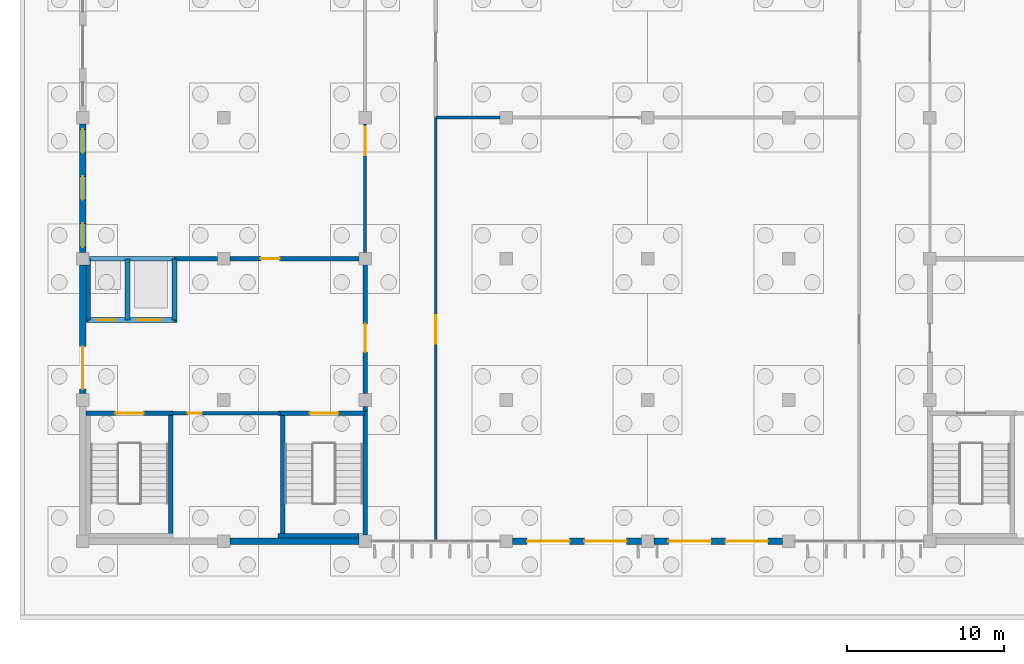
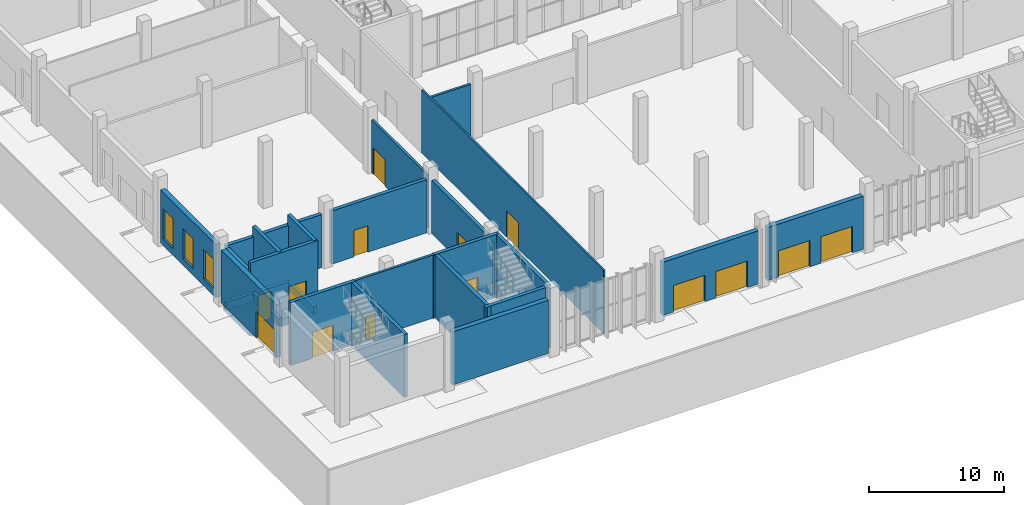
# One storey, part 77 of 198: 28 walls, 14 doors, 3 windows, 17 openings.
"""IFC4 building model written with IfcOpenShell, lengths in metres."""

from ifc_helpers import new_model, si_unit, direction, frame, frame_2d, origin, place, context, subcontext, project, spatial, rectangle, extrude, material, layer, layer_set, type_object, element, fill, save


model = new_model("IFC4")

# Units and contexts
model_context = context("Model", 3, precision=1e-05, world=origin(), true_north=direction((0.0, 1.0)))
body_context = subcontext(model_context, "Body", "Model", "MODEL_VIEW")
ifc_project = project(units=[si_unit("LENGTHUNIT", "METRE"), si_unit("AREAUNIT", "SQUARE_METRE"), si_unit("VOLUMEUNIT", "CUBIC_METRE"), si_unit("PLANEANGLEUNIT", "RADIAN"), si_unit("MASSUNIT", "GRAM", prefix="KILO")], contexts=[model_context])

# Site, building, storey
site_placement = place(None, origin())
site = spatial("IfcSite", under=ifc_project, at=site_placement, CompositionType="ELEMENT")
building_placement = place(site_placement, origin())
building = spatial("IfcBuilding", under=site, at=building_placement, Name="Opaline Strait Convention Centre", CompositionType="ELEMENT")
storey_placement = place(building_placement, origin())
storey = spatial("IfcBuildingStorey", under=building, at=storey_placement, Name="L00", CompositionType="ELEMENT", Elevation=0.0)

# Wall, opening, door
ifc_material_1 = material(Name="Gypsum board on metal studs with mineral wool")
ifc_layer_1 = layer(ifc_material_1, 0.199951171875)
ifc_layer_set_1 = layer_set([ifc_layer_1], Name="Gypsum board on metal studs with mineral wool")
wall_type_1 = type_object("IfcWallType", Name="Fire partition 200", PredefinedType="PARTITIONING", material=ifc_layer_set_1)
wall_1_placement = place(storey_placement, frame((14.75, 17.14990234375, 0.0), z_axis=(0.0, 0.0, 1.0), x_axis=(1.0, 0.0, 0.0)))
wall_1 = element("IfcWall", 1, at=wall_1_placement, inside=storey, type_object=wall_type_1, Name="SW core STORE-N wall", PredefinedType="PARTITIONING", context=body_context, shape_type="SweptSolid", body=[
    extrude(rectangle(XDim=6.85009765625, YDim=0.199951171875, at=frame_2d((3.425048828125, 0.0))), origin(), (0.0, 0.0, 1.0), 5.719970703125),
])
opening_1_placement = place(wall_1_placement, frame((0.949951171875, 0.0, 0.0)))
opening_1 = element("IfcOpeningElement", 2, at=opening_1_placement, cuts=wall_1, Name="Opening R0-003", PredefinedType="OPENING", context=body_context, shape_type="SweptSolid", body=[
    extrude(rectangle(XDim=0.89990234375, YDim=2.10009765625, at=frame_2d((0.449951171875, 1.050048828125))), frame((0.0, 0.10986328125, 0.0), z_axis=(0.0, -1.0, 0.0), x_axis=(1.0, 0.0, 0.0)), (0.0, 0.0, 1.0), 0.219970703125),
])
ifc_material_2 = material(Name="Galvanised steel door leaf", Category="steel")
door_type_1 = type_object("IfcDoorType", Name="Services store door 900x2100 FD60", OperationType="SINGLE_SWING_LEFT", PredefinedType="DOOR", material=ifc_material_2)
door_1_placement = place(opening_1_placement, origin())
door_1 = element("IfcDoor", 3, at=door_1_placement, inside=storey, type_object=door_type_1, Name="Services store door SW R0-003", ObjectType="RD8", OperationType="SINGLE_SWING_LEFT", OverallHeight=2.10009765625, OverallWidth=0.89990234375, PredefinedType="DOOR", context=body_context, shape_type="SweptSolid", body=[
    extrude(rectangle(XDim=0.89990234375, YDim=2.10009765625, at=frame_2d((0.449951171875, 1.050048828125))), frame((0.0, 0.02490234375, 0.0), z_axis=(0.0, -1.0, 0.0), x_axis=(1.0, 0.0, 0.0)), (0.0, 0.0, 1.0), 0.050048828125),
])
fill(opening_1, door_1)

# Wall
wall_2_placement = place(storey_placement, frame((31.5, 36.0, 0.0), z_axis=(0.0, 0.0, 1.0), x_axis=(1.0, 0.0, 0.0)))
element("IfcWall", 4, at=wall_2_placement, inside=storey, type_object=wall_type_1, Name="L00 partition", PredefinedType="PARTITIONING", context=body_context, shape_type="SweptSolid", body=[
    extrude(rectangle(XDim=4.10009765625, YDim=0.199951171875, at=frame_2d((2.050048828125, 0.0))), origin(), (0.0, 0.0, 1.0), 4.820068359375),
])

# Wall, opening, door
wall_3_placement = place(storey_placement, frame((27.0, 27.39990234375, 0.0), z_axis=(0.0, 0.0, 1.0), x_axis=(0.0, 1.0, 0.0)))
wall_3 = element("IfcWall", 5, at=wall_3_placement, inside=storey, type_object=wall_type_1, Name="L00 partition", PredefinedType="PARTITIONING", context=body_context, shape_type="SweptSolid", body=[
    extrude(rectangle(XDim=8.2001953125, YDim=0.199951171875, at=frame_2d((4.10009765625, 0.0))), origin(), (0.0, 0.0, 1.0), 4.820068359375),
])
opening_2_placement = place(wall_3_placement, frame((6.199951171875, 0.0, 0.0)))
opening_2 = element("IfcOpeningElement", 6, at=opening_2_placement, cuts=wall_3, Name="Opening R0-040", PredefinedType="OPENING", context=body_context, shape_type="SweptSolid", body=[
    extrude(rectangle(XDim=1.800048828125, YDim=2.39990234375, at=frame_2d((0.89990234375, 1.199951171875))), frame((0.0, 0.10986328125, 0.0), z_axis=(0.0, -1.0, 0.0), x_axis=(1.0, 0.0, 0.0)), (0.0, 0.0, 1.0), 0.219970703125),
])
ifc_material_3 = material(Name="Stainless steel 304 door leaves", Category="steel")
door_type_2 = type_object("IfcDoorType", Name="Kitchen door 1800x2400 double FD90", OperationType="DOUBLE_DOOR_SINGLE_SWING", PredefinedType="DOOR", material=ifc_material_3)
door_2_placement = place(opening_2_placement, frame((1.800048828125, 0.0, 0.0), z_axis=(0.0, 0.0, 1.0), x_axis=(-1.0, 0.0, 0.0)))
door_2 = element("IfcDoor", 7, at=door_2_placement, inside=storey, type_object=door_type_2, Name="Main Kitchen door R0-040", ObjectType="RD4", OperationType="DOUBLE_DOOR_SINGLE_SWING", OverallHeight=2.39990234375, OverallWidth=1.800048828125, PredefinedType="DOOR", context=body_context, shape_type="SweptSolid", body=[
    extrude(rectangle(XDim=1.800048828125, YDim=2.39990234375, at=frame_2d((0.89990234375, 1.199951171875))), frame((0.0, 0.02490234375, 0.0), z_axis=(0.0, -1.0, 0.0), x_axis=(1.0, 0.0, 0.0)), (0.0, 0.0, 1.0), 0.050048828125),
])
fill(opening_2, door_2)

ifc_layer_2 = layer(ifc_material_1, 0.14990234375)
ifc_layer_set_2 = layer_set([ifc_layer_2], Name="Gypsum board on metal studs with mineral wool")
wall_type_2 = type_object("IfcWallType", Name="Partition 150", PredefinedType="PARTITIONING", material=ifc_layer_set_2)
wall_4_placement = place(storey_placement, frame((31.5, 9.0, 0.0), z_axis=(0.0, 0.0, 1.0), x_axis=(0.0, 1.0, 0.0)))
wall_4 = element("IfcWall", 8, at=wall_4_placement, inside=storey, type_object=wall_type_2, Name="L00 partition", PredefinedType="PARTITIONING", context=body_context, shape_type="SweptSolid", body=[
    extrude(rectangle(XDim=27.0, YDim=0.14990234375, at=frame_2d((13.5, 0.0))), origin(), (0.0, 0.0, 1.0), 5.719970703125),
])
opening_3_placement = place(wall_4_placement, frame((12.60009765625, 0.0, 0.0)))
opening_3 = element("IfcOpeningElement", 9, at=opening_3_placement, cuts=wall_4, Name="Opening R0-031", PredefinedType="OPENING", context=body_context, shape_type="SweptSolid", body=[
    extrude(rectangle(XDim=1.800048828125, YDim=2.39990234375, at=frame_2d((0.89990234375, 1.199951171875))), frame((0.0, 0.0849609375, 0.0), z_axis=(0.0, -1.0, 0.0), x_axis=(1.0, 0.0, 0.0)), (0.0, 0.0, 1.0), 0.169921875),
])
ifc_material_4 = material(Name="Timber door leaves in steel frame", Category="steel")
door_type_3 = type_object("IfcDoorType", Name="Door 1800x2400 double FD30", OperationType="DOUBLE_DOOR_SINGLE_SWING", PredefinedType="DOOR", material=ifc_material_4)
door_3_placement = place(opening_3_placement, origin())
door_3 = element("IfcDoor", 10, at=door_3_placement, inside=storey, type_object=door_type_3, Name="Restaurant Hall door R0-031", ObjectType="RD2", OperationType="DOUBLE_DOOR_SINGLE_SWING", OverallHeight=2.39990234375, OverallWidth=1.800048828125, PredefinedType="DOOR", context=body_context, shape_type="SweptSolid", body=[
    extrude(rectangle(XDim=1.800048828125, YDim=2.39990234375, at=frame_2d((0.89990234375, 1.199951171875))), frame((0.0, 0.02490234375, 0.0), z_axis=(0.0, -1.0, 0.0), x_axis=(1.0, 0.0, 0.0)), (0.0, 0.0, 1.0), 0.050048828125),
])
fill(opening_3, door_3)

ifc_material_5 = material(Name="Concrete C40", Category="concrete")
ifc_layer_3 = layer(ifc_material_5, 0.300048828125)
ifc_layer_set_3 = layer_set([ifc_layer_3], Name="Concrete C40")
wall_type_3 = type_object("IfcWallType", Name="RC wall 300 C40", PredefinedType="SOLIDWALL", material=ifc_layer_set_3)
wall_5_placement = place(storey_placement, frame((9.199951171875, 17.14990234375, 0.0), z_axis=(0.0, 0.0, 1.0), x_axis=(1.0, 0.0, 0.0)))
wall_5 = element("IfcWall", 11, at=wall_5_placement, inside=storey, type_object=wall_type_3, Name="SW core STA-N wall", PredefinedType="SOLIDWALL", context=body_context, shape_type="SweptSolid", body=[
    extrude(rectangle(XDim=5.550048828125, YDim=0.300048828125, at=frame_2d((2.77490234375, 0.0))), origin(), (0.0, 0.0, 1.0), 5.719970703125),
])
opening_4_placement = place(wall_5_placement, frame((1.875, 0.0, 0.0)))
opening_4 = element("IfcOpeningElement", 12, at=opening_4_placement, cuts=wall_5, Name="Opening R0-001", PredefinedType="OPENING", context=body_context, shape_type="SweptSolid", body=[
    extrude(rectangle(XDim=1.800048828125, YDim=2.39990234375, at=frame_2d((0.89990234375, 1.199951171875))), frame((0.0, 0.159912109375, 0.0), z_axis=(0.0, -1.0, 0.0), x_axis=(1.0, 0.0, 0.0)), (0.0, 0.0, 1.0), 0.320068359375),
])
door_type_4 = type_object("IfcDoorType", Name="Stair door 1800x2400 double FD60", OperationType="DOUBLE_DOOR_SINGLE_SWING", PredefinedType="DOOR", material=ifc_material_4)
door_4_placement = place(opening_4_placement, origin())
door_4 = element("IfcDoor", 13, at=door_4_placement, inside=storey, type_object=door_type_4, Name="Stair door SWA R0-001", ObjectType="RD7", OperationType="DOUBLE_DOOR_SINGLE_SWING", OverallHeight=2.39990234375, OverallWidth=1.800048828125, PredefinedType="DOOR", context=body_context, shape_type="SweptSolid", body=[
    extrude(rectangle(XDim=1.800048828125, YDim=2.39990234375, at=frame_2d((0.89990234375, 1.199951171875))), frame((0.0, 0.02490234375, 0.0), z_axis=(0.0, -1.0, 0.0), x_axis=(1.0, 0.0, 0.0)), (0.0, 0.0, 1.0), 0.050048828125),
])
fill(opening_4, door_4)

# Walls
wall_6_placement = place(storey_placement, frame((14.60009765625, 9.199951171875, 0.0), z_axis=(0.0, 0.0, 1.0), x_axis=(0.0, 1.0, 0.0)))
element("IfcWall", 14, at=wall_6_placement, inside=storey, type_object=wall_type_3, Name="SW core STA-E wall", PredefinedType="SOLIDWALL", context=body_context, shape_type="SweptSolid", body=[
    extrude(rectangle(XDim=8.10009765625, YDim=0.300048828125, at=frame_2d((4.050048828125, 0.0))), origin(), (0.0, 0.0, 1.0), 5.719970703125),
])
wall_7_placement = place(storey_placement, frame((21.449951171875, 9.35009765625, 0.0), z_axis=(0.0, 0.0, 1.0), x_axis=(1.0, 0.0, 0.0)))
element("IfcWall", 15, at=wall_7_placement, inside=storey, type_object=wall_type_3, Name="SW core STB-S wall", PredefinedType="SOLIDWALL", context=body_context, shape_type="SweptSolid", body=[
    extrude(rectangle(XDim=5.150146484375, YDim=0.300048828125, at=frame_2d((2.5751953125, 0.0))), origin(), (0.0, 0.0, 1.0), 5.719970703125),
])

# Wall, opening, door
wall_8_placement = place(storey_placement, frame((21.449951171875, 17.14990234375, 0.0), z_axis=(0.0, 0.0, 1.0), x_axis=(1.0, 0.0, 0.0)))
wall_8 = element("IfcWall", 16, at=wall_8_placement, inside=storey, type_object=wall_type_3, Name="SW core STB-N wall", PredefinedType="SOLIDWALL", context=body_context, shape_type="SweptSolid", body=[
    extrude(rectangle(XDim=5.550048828125, YDim=0.300048828125, at=frame_2d((2.77490234375, 0.0))), origin(), (0.0, 0.0, 1.0), 5.719970703125),
])
opening_5_placement = place(wall_8_placement, frame((2.02490234375, 0.0, 0.0)))
opening_5 = element("IfcOpeningElement", 17, at=opening_5_placement, cuts=wall_8, Name="Opening R0-002", PredefinedType="OPENING", context=body_context, shape_type="SweptSolid", body=[
    extrude(rectangle(XDim=1.800048828125, YDim=2.39990234375, at=frame_2d((0.89990234375, 1.199951171875))), frame((0.0, 0.159912109375, 0.0), z_axis=(0.0, -1.0, 0.0), x_axis=(1.0, 0.0, 0.0)), (0.0, 0.0, 1.0), 0.320068359375),
])
door_5_placement = place(opening_5_placement, origin())
door_5 = element("IfcDoor", 18, at=door_5_placement, inside=storey, type_object=door_type_4, Name="Stair door SWB R0-002", ObjectType="RD7", OperationType="DOUBLE_DOOR_SINGLE_SWING", OverallHeight=2.39990234375, OverallWidth=1.800048828125, PredefinedType="DOOR", context=body_context, shape_type="SweptSolid", body=[
    extrude(rectangle(XDim=1.800048828125, YDim=2.39990234375, at=frame_2d((0.89990234375, 1.199951171875))), frame((0.0, 0.02490234375, 0.0), z_axis=(0.0, -1.0, 0.0), x_axis=(1.0, 0.0, 0.0)), (0.0, 0.0, 1.0), 0.050048828125),
])
fill(opening_5, door_5)

# Walls
wall_9_placement = place(storey_placement, frame((21.75, 9.199951171875, 0.0), z_axis=(0.0, 0.0, 1.0), x_axis=(0.0, 1.0, 0.0)))
element("IfcWall", 19, at=wall_9_placement, inside=storey, type_object=wall_type_3, Name="SW core STB-W wall", PredefinedType="SOLIDWALL", context=body_context, shape_type="SweptSolid", body=[
    extrude(rectangle(XDim=8.10009765625, YDim=0.300048828125, at=frame_2d((4.050048828125, 0.0))), origin(), (0.0, 0.0, 1.0), 5.719970703125),
])
wall_10_placement = place(storey_placement, frame((27.0, 9.39990234375, 0.0), z_axis=(0.0, 0.0, 1.0), x_axis=(0.0, 1.0, 0.0)))
element("IfcWall", 20, at=wall_10_placement, inside=storey, type_object=wall_type_3, Name="SW core STB-E wall", PredefinedType="SOLIDWALL", context=body_context, shape_type="SweptSolid", body=[
    extrude(rectangle(XDim=7.900146484375, YDim=0.300048828125, at=frame_2d((3.9501953125, 0.0))), origin(), (0.0, 0.0, 1.0), 5.719970703125),
])
wall_11_placement = place(storey_placement, frame((9.39990234375, 27.0, 0.0), z_axis=(0.0, 0.0, 1.0), x_axis=(1.0, 0.0, 0.0)))
element("IfcWall", 21, at=wall_11_placement, inside=storey, type_object=wall_type_3, Name="SW core BND-N wall", PredefinedType="SOLIDWALL", context=body_context, shape_type="SweptSolid", body=[
    extrude(rectangle(XDim=8.2001953125, YDim=0.300048828125, at=frame_2d((4.10009765625, 0.0))), origin(), (0.0, 0.0, 1.0), 4.820068359375),
])

# Wall, opening, door
wall_12_placement = place(storey_placement, frame((18.39990234375, 27.0, 0.0), z_axis=(0.0, 0.0, 1.0), x_axis=(1.0, 0.0, 0.0)))
wall_12 = element("IfcWall", 22, at=wall_12_placement, inside=storey, type_object=wall_type_3, Name="SW core BND-N wall", PredefinedType="SOLIDWALL", context=body_context, shape_type="SweptSolid", body=[
    extrude(rectangle(XDim=8.2001953125, YDim=0.300048828125, at=frame_2d((4.10009765625, 0.0))), origin(), (0.0, 0.0, 1.0), 4.820068359375),
])
opening_6_placement = place(wall_12_placement, frame((1.949951171875, 0.0, 0.0)))
opening_6 = element("IfcOpeningElement", 23, at=opening_6_placement, cuts=wall_12, Name="Opening R0-041", PredefinedType="OPENING", context=body_context, shape_type="SweptSolid", body=[
    extrude(rectangle(XDim=1.199951171875, YDim=2.39990234375, at=frame_2d((0.60009765625, 1.199951171875))), frame((0.0, 0.159912109375, 0.0), z_axis=(0.0, -1.0, 0.0), x_axis=(1.0, 0.0, 0.0)), (0.0, 0.0, 1.0), 0.320068359375),
])
ifc_material_6 = material(Name="Stainless steel 304 door leaf", Category="steel")
door_type_5 = type_object("IfcDoorType", Name="Kitchen door 1200x2400 FD90", OperationType="SINGLE_SWING_LEFT", PredefinedType="DOOR", material=ifc_material_6)
door_6_placement = place(opening_6_placement, origin())
door_6 = element("IfcDoor", 24, at=door_6_placement, inside=storey, type_object=door_type_5, Name="Main Kitchen service door R0-041", ObjectType="RD3", OperationType="SINGLE_SWING_LEFT", OverallHeight=2.39990234375, OverallWidth=1.199951171875, PredefinedType="DOOR", context=body_context, shape_type="SweptSolid", body=[
    extrude(rectangle(XDim=1.199951171875, YDim=2.39990234375, at=frame_2d((0.60009765625, 1.199951171875))), frame((0.0, 0.02490234375, 0.0), z_axis=(0.0, -1.0, 0.0), x_axis=(1.0, 0.0, 0.0)), (0.0, 0.0, 1.0), 0.050048828125),
])
fill(opening_6, door_6)

# Wall
wall_13_placement = place(storey_placement, frame((27.0, 17.300048828125, 0.0), z_axis=(0.0, 0.0, 1.0), x_axis=(0.0, 1.0, 0.0)))
element("IfcWall", 25, at=wall_13_placement, inside=storey, type_object=wall_type_3, Name="SW core BND-E wall", PredefinedType="SOLIDWALL", context=body_context, shape_type="SweptSolid", body=[
    extrude(rectangle(XDim=0.300048828125, YDim=0.300048828125, at=frame_2d((0.14990234375, 0.0))), origin(), (0.0, 0.0, 1.0), 4.820068359375),
])

# Wall, opening, door
wall_14_placement = place(storey_placement, frame((27.0, 18.39990234375, 0.0), z_axis=(0.0, 0.0, 1.0), x_axis=(0.0, 1.0, 0.0)))
wall_14 = element("IfcWall", 26, at=wall_14_placement, inside=storey, type_object=wall_type_3, Name="SW core BND-E wall", PredefinedType="SOLIDWALL", context=body_context, shape_type="SweptSolid", body=[
    extrude(rectangle(XDim=8.2001953125, YDim=0.300048828125, at=frame_2d((4.10009765625, 0.0))), origin(), (0.0, 0.0, 1.0), 4.820068359375),
])
opening_7_placement = place(wall_14_placement, frame((2.64990234375, 0.0, 0.0)))
opening_7 = element("IfcOpeningElement", 27, at=opening_7_placement, cuts=wall_14, Name="Opening R0-004", PredefinedType="OPENING", context=body_context, shape_type="SweptSolid", body=[
    extrude(rectangle(XDim=1.800048828125, YDim=2.39990234375, at=frame_2d((0.89990234375, 1.199951171875))), frame((0.0, 0.159912109375, 0.0), z_axis=(0.0, -1.0, 0.0), x_axis=(1.0, 0.0, 0.0)), (0.0, 0.0, 1.0), 0.320068359375),
])
door_type_6 = type_object("IfcDoorType", Name="Door 1800x2400 double FD60", OperationType="DOUBLE_DOOR_SINGLE_SWING", PredefinedType="DOOR", material=ifc_material_4)
door_7_placement = place(opening_7_placement, frame((1.800048828125, 0.0, 0.0), z_axis=(0.0, 0.0, 1.0), x_axis=(-1.0, 0.0, 0.0)))
door_7 = element("IfcDoor", 28, at=door_7_placement, inside=storey, type_object=door_type_6, Name="Core lobby door SW R0-004", ObjectType="RD9", OperationType="DOUBLE_DOOR_SINGLE_SWING", OverallHeight=2.39990234375, OverallWidth=1.800048828125, PredefinedType="DOOR", context=body_context, shape_type="SweptSolid", body=[
    extrude(rectangle(XDim=1.800048828125, YDim=2.39990234375, at=frame_2d((0.89990234375, 1.199951171875))), frame((0.0, 0.02490234375, 0.0), z_axis=(0.0, -1.0, 0.0), x_axis=(1.0, 0.0, 0.0)), (0.0, 0.0, 1.0), 0.050048828125),
])
fill(opening_7, door_7)

# Wall, openings, doors
wall_15_placement = place(storey_placement, frame((9.199951171875, 23.10009765625, 0.0), z_axis=(0.0, 0.0, 1.0), x_axis=(1.0, 0.0, 0.0)))
wall_15 = element("IfcWall", 29, at=wall_15_placement, inside=storey, type_object=wall_type_3, Name="SW core LIFT-S wall", PredefinedType="SOLIDWALL", context=body_context, shape_type="SweptSolid", body=[
    extrude(rectangle(XDim=5.800048828125, YDim=0.300048828125, at=frame_2d((2.89990234375, 0.0))), origin(), (0.0, 0.0, 1.0), 5.719970703125),
])
opening_8_placement = place(wall_15_placement, frame((0.75, 0.0, 0.0)))
opening_8 = element("IfcOpeningElement", 30, at=opening_8_placement, cuts=wall_15, Name="Opening R0-005", PredefinedType="OPENING", context=body_context, shape_type="SweptSolid", body=[
    extrude(rectangle(XDim=1.10009765625, YDim=2.39990234375, at=frame_2d((0.550048828125, 1.199951171875))), frame((0.0, 0.159912109375, 0.0), z_axis=(0.0, -1.0, 0.0), x_axis=(1.0, 0.0, 0.0)), (0.0, 0.0, 1.0), 0.320068359375),
])
opening_9_placement = place(wall_15_placement, frame((3.300048828125, 0.0, 0.0)))
opening_9 = element("IfcOpeningElement", 31, at=opening_9_placement, cuts=wall_15, Name="Opening R0-006", PredefinedType="OPENING", context=body_context, shape_type="SweptSolid", body=[
    extrude(rectangle(XDim=1.5, YDim=2.39990234375, at=frame_2d((0.75, 1.199951171875))), frame((0.0, 0.159912109375, 0.0), z_axis=(0.0, -1.0, 0.0), x_axis=(1.0, 0.0, 0.0)), (0.0, 0.0, 1.0), 0.320068359375),
])
door_type_7 = type_object("IfcDoorType", Name="Lift landing door 1100x2400 sliding FD60", OperationType="SLIDING_TO_LEFT", PredefinedType="DOOR", material=ifc_material_3)
door_8_placement = place(opening_8_placement, frame((1.10009765625, 0.0, 0.0), z_axis=(0.0, 0.0, 1.0), x_axis=(-1.0, 0.0, 0.0)))
door_8 = element("IfcDoor", 32, at=door_8_placement, inside=storey, type_object=door_type_7, Name="Lift landing door SWP R0-005", ObjectType="LD1", OperationType="SLIDING_TO_LEFT", OverallHeight=2.39990234375, OverallWidth=1.10009765625, PredefinedType="DOOR", context=body_context, shape_type="SweptSolid", body=[
    extrude(rectangle(XDim=1.10009765625, YDim=2.39990234375, at=frame_2d((0.550048828125, 1.199951171875))), frame((0.0, 0.02490234375, 0.0), z_axis=(0.0, -1.0, 0.0), x_axis=(1.0, 0.0, 0.0)), (0.0, 0.0, 1.0), 0.050048828125),
])
fill(opening_8, door_8)
door_type_8 = type_object("IfcDoorType", Name="Lift landing door 1500x2400 sliding FD60", OperationType="SLIDING_TO_LEFT", PredefinedType="DOOR", material=ifc_material_3)
door_9_placement = place(opening_9_placement, frame((1.5, 0.0, 0.0), z_axis=(0.0, 0.0, 1.0), x_axis=(-1.0, 0.0, 0.0)))
door_9 = element("IfcDoor", 33, at=door_9_placement, inside=storey, type_object=door_type_8, Name="Lift landing door SWG R0-006", ObjectType="LD2", OperationType="SLIDING_TO_LEFT", OverallHeight=2.39990234375, OverallWidth=1.5, PredefinedType="DOOR", context=body_context, shape_type="SweptSolid", body=[
    extrude(rectangle(XDim=1.5, YDim=2.39990234375, at=frame_2d((0.75, 1.199951171875))), frame((0.0, 0.02490234375, 0.0), z_axis=(0.0, -1.0, 0.0), x_axis=(1.0, 0.0, 0.0)), (0.0, 0.0, 1.0), 0.050048828125),
])
fill(opening_9, door_9)

# Walls
for number, where, z_axis, x_axis, name in (
    (34, (11.85009765625, 23.10009765625, 0.0), (0.0, 0.0, 1.0), (0.0, 1.0, 0.0), "SW core LIFT-M wall"),
    (35, (14.85009765625, 23.10009765625, 0.0), (0.0, 0.0, 1.0), (0.0, 1.0, 0.0), "SW core LIFT-GE wall"),
):
    element("IfcWall", number, at=place(storey_placement, frame(where, z_axis=z_axis, x_axis=x_axis)), inside=storey, type_object=wall_type_3, Name=name, PredefinedType="SOLIDWALL", context=body_context, shape_type="SweptSolid", body=[
        extrude(rectangle(XDim=3.89990234375, YDim=0.300048828125, at=frame_2d((1.949951171875, 0.0))), origin(), (0.0, 0.0, 1.0), 5.719970703125),
    ])
wall_16_placement = place(storey_placement, frame((9.35009765625, 23.10009765625, 0.0), z_axis=(0.0, 0.0, 1.0), x_axis=(0.0, 1.0, 0.0)))
element("IfcWall", 36, at=wall_16_placement, inside=storey, type_object=wall_type_3, Name="SW core LIFT-W wall", PredefinedType="SOLIDWALL", context=body_context, shape_type="SweptSolid", body=[
    extrude(rectangle(XDim=3.5, YDim=0.300048828125, at=frame_2d((1.75, 0.0))), origin(), (0.0, 0.0, 1.0), 4.820068359375),
])
for number, where, z_axis, x_axis, name in (
    (37, (9.35009765625, 23.10009765625, -1.0), (0.0, 0.0, 1.0), (1.0, 0.0, 0.0), "Lift pit wall SW"),
    (38, (9.35009765625, 27.0, -1.0), (0.0, 0.0, 1.0), (1.0, 0.0, 0.0), "Lift pit wall SW"),
):
    element("IfcWall", number, at=place(storey_placement, frame(where, z_axis=z_axis, x_axis=x_axis)), inside=storey, type_object=wall_type_3, Name=name, PredefinedType="SOLIDWALL", context=body_context, shape_type="SweptSolid", body=[
        extrude(rectangle(XDim=5.5, YDim=0.300048828125, at=frame_2d((2.75, 0.0))), origin(), (0.0, 0.0, 1.0), 0.699951171875),
    ])
for number, where, z_axis, x_axis, name in (
    (39, (9.35009765625, 23.10009765625, -1.0), (0.0, 0.0, 1.0), (0.0, 1.0, 0.0), "Lift pit wall SW"),
    (40, (11.85009765625, 23.10009765625, -1.0), (0.0, 0.0, 1.0), (0.0, 1.0, 0.0), "Lift pit wall SW"),
    (41, (14.85009765625, 23.10009765625, -1.0), (0.0, 0.0, 1.0), (0.0, 1.0, 0.0), "Lift pit wall SW"),
):
    element("IfcWall", number, at=place(storey_placement, frame(where, z_axis=z_axis, x_axis=x_axis)), inside=storey, type_object=wall_type_3, Name=name, PredefinedType="SOLIDWALL", context=body_context, shape_type="SweptSolid", body=[
        extrude(rectangle(XDim=3.89990234375, YDim=0.300048828125, at=frame_2d((1.949951171875, 0.0))), origin(), (0.0, 0.0, 1.0), 0.699951171875),
    ])
ifc_layer_4 = layer(ifc_material_5, 0.320068359375)
ifc_material_7 = material(Name="Mineral wool insulation")
ifc_layer_5 = layer(ifc_material_7, 0.050048828125)
ifc_material_8 = material(Name="Gypsum board lining")
ifc_layer_6 = layer(ifc_material_8, 0.030029296875)
ifc_layer_set_4 = layer_set([ifc_layer_4, ifc_layer_5, ifc_layer_6], Name="Concrete C40, Mineral wool insulation, Gypsum board lining")
wall_type_4 = type_object("IfcWallType", Name="RC wall 400 C40", PredefinedType="SOLIDWALL", material=ifc_layer_set_4)
wall_17_placement = place(storey_placement, frame((18.39990234375, 9.0, 0.0), z_axis=(0.0, 0.0, 1.0), x_axis=(1.0, 0.0, 0.0)))
element("IfcWall", 42, at=wall_17_placement, inside=storey, type_object=wall_type_4, Name="L00 S external wall 2", PredefinedType="SOLIDWALL", context=body_context, shape_type="SweptSolid", body=[
    extrude(rectangle(XDim=8.2001953125, YDim=0.39990234375, at=frame_2d((4.10009765625, 0.0))), origin(), (0.0, 0.0, 1.0), 4.820068359375),
])

# Wall, openings, doors
wall_18_placement = place(storey_placement, frame((36.39990234375, 9.0, 0.0), z_axis=(0.0, 0.0, 1.0), x_axis=(1.0, 0.0, 0.0)))
wall_18 = element("IfcWall", 43, at=wall_18_placement, inside=storey, type_object=wall_type_4, Name="L00 S external wall 4", PredefinedType="SOLIDWALL", context=body_context, shape_type="SweptSolid", body=[
    extrude(rectangle(XDim=8.2001953125, YDim=0.39990234375, at=frame_2d((4.10009765625, 0.0))), origin(), (0.0, 0.0, 1.0), 4.820068359375),
])
opening_10_placement = place(wall_18_placement, frame((0.929931640625, 0.0, 0.0)))
opening_10 = element("IfcOpeningElement", 44, at=opening_10_placement, cuts=wall_18, Name="Opening R0-053", PredefinedType="OPENING", context=body_context, shape_type="SweptSolid", body=[
    extrude(rectangle(XDim=2.699951171875, YDim=2.39990234375, at=frame_2d((1.35009765625, 1.199951171875))), frame((0.0, 0.2099609375, 0.0), z_axis=(0.0, -1.0, 0.0), x_axis=(1.0, 0.0, 0.0)), (0.0, 0.0, 1.0), 0.419921875),
])
opening_11_placement = place(wall_18_placement, frame((4.570068359375, 0.0, 0.0)))
opening_11 = element("IfcOpeningElement", 45, at=opening_11_placement, cuts=wall_18, Name="Opening R0-054", PredefinedType="OPENING", context=body_context, shape_type="SweptSolid", body=[
    extrude(rectangle(XDim=2.699951171875, YDim=2.39990234375, at=frame_2d((1.35009765625, 1.199951171875))), frame((0.0, 0.2099609375, 0.0), z_axis=(0.0, -1.0, 0.0), x_axis=(1.0, 0.0, 0.0)), (0.0, 0.0, 1.0), 0.419921875),
])
ifc_material_9 = material(Name="Aluminium framed double glazing", Category="aluminium")
door_type_9 = type_object("IfcDoorType", Name="Exit door 2700x2400 glazed pair", OperationType="DOUBLE_DOOR_SINGLE_SWING", PredefinedType="DOOR", material=ifc_material_9)
door_10_placement = place(opening_10_placement, origin())
door_10 = element("IfcDoor", 46, at=door_10_placement, inside=storey, type_object=door_type_9, Name="Entrance door R0-053", ObjectType="RD10", OperationType="DOUBLE_DOOR_SINGLE_SWING", OverallHeight=2.39990234375, OverallWidth=2.699951171875, PredefinedType="DOOR", context=body_context, shape_type="SweptSolid", body=[
    extrude(rectangle(XDim=2.699951171875, YDim=2.39990234375, at=frame_2d((1.35009765625, 1.199951171875))), frame((0.0, 0.02490234375, 0.0), z_axis=(0.0, -1.0, 0.0), x_axis=(1.0, 0.0, 0.0)), (0.0, 0.0, 1.0), 0.050048828125),
])
fill(opening_10, door_10)
door_11_placement = place(opening_11_placement, origin())
door_11 = element("IfcDoor", 47, at=door_11_placement, inside=storey, type_object=door_type_9, Name="Entrance door R0-054", ObjectType="RD10", OperationType="DOUBLE_DOOR_SINGLE_SWING", OverallHeight=2.39990234375, OverallWidth=2.699951171875, PredefinedType="DOOR", context=body_context, shape_type="SweptSolid", body=[
    extrude(rectangle(XDim=2.699951171875, YDim=2.39990234375, at=frame_2d((1.35009765625, 1.199951171875))), frame((0.0, 0.02490234375, 0.0), z_axis=(0.0, -1.0, 0.0), x_axis=(1.0, 0.0, 0.0)), (0.0, 0.0, 1.0), 0.050048828125),
])
fill(opening_11, door_11)

wall_19_placement = place(storey_placement, frame((45.39990234375, 9.0, 0.0), z_axis=(0.0, 0.0, 1.0), x_axis=(1.0, 0.0, 0.0)))
wall_19 = element("IfcWall", 48, at=wall_19_placement, inside=storey, type_object=wall_type_4, Name="L00 S external wall 5", PredefinedType="SOLIDWALL", context=body_context, shape_type="SweptSolid", body=[
    extrude(rectangle(XDim=8.2001953125, YDim=0.39990234375, at=frame_2d((4.10009765625, 0.0))), origin(), (0.0, 0.0, 1.0), 4.820068359375),
])
opening_12_placement = place(wall_19_placement, frame((0.929931640625, 0.0, 0.0)))
opening_12 = element("IfcOpeningElement", 49, at=opening_12_placement, cuts=wall_19, Name="Opening R0-055", PredefinedType="OPENING", context=body_context, shape_type="SweptSolid", body=[
    extrude(rectangle(XDim=2.699951171875, YDim=2.39990234375, at=frame_2d((1.35009765625, 1.199951171875))), frame((0.0, 0.2099609375, 0.0), z_axis=(0.0, -1.0, 0.0), x_axis=(1.0, 0.0, 0.0)), (0.0, 0.0, 1.0), 0.419921875),
])
opening_13_placement = place(wall_19_placement, frame((4.570068359375, 0.0, 0.0)))
opening_13 = element("IfcOpeningElement", 50, at=opening_13_placement, cuts=wall_19, Name="Opening R0-056", PredefinedType="OPENING", context=body_context, shape_type="SweptSolid", body=[
    extrude(rectangle(XDim=2.699951171875, YDim=2.39990234375, at=frame_2d((1.35009765625, 1.199951171875))), frame((0.0, 0.2099609375, 0.0), z_axis=(0.0, -1.0, 0.0), x_axis=(1.0, 0.0, 0.0)), (0.0, 0.0, 1.0), 0.419921875),
])
door_12_placement = place(opening_12_placement, origin())
door_12 = element("IfcDoor", 51, at=door_12_placement, inside=storey, type_object=door_type_9, Name="Entrance door R0-055", ObjectType="RD10", OperationType="DOUBLE_DOOR_SINGLE_SWING", OverallHeight=2.39990234375, OverallWidth=2.699951171875, PredefinedType="DOOR", context=body_context, shape_type="SweptSolid", body=[
    extrude(rectangle(XDim=2.699951171875, YDim=2.39990234375, at=frame_2d((1.35009765625, 1.199951171875))), frame((0.0, 0.02490234375, 0.0), z_axis=(0.0, -1.0, 0.0), x_axis=(1.0, 0.0, 0.0)), (0.0, 0.0, 1.0), 0.050048828125),
])
fill(opening_12, door_12)
door_13_placement = place(opening_13_placement, origin())
door_13 = element("IfcDoor", 52, at=door_13_placement, inside=storey, type_object=door_type_9, Name="Entrance door R0-056", ObjectType="RD10", OperationType="DOUBLE_DOOR_SINGLE_SWING", OverallHeight=2.39990234375, OverallWidth=2.699951171875, PredefinedType="DOOR", context=body_context, shape_type="SweptSolid", body=[
    extrude(rectangle(XDim=2.699951171875, YDim=2.39990234375, at=frame_2d((1.35009765625, 1.199951171875))), frame((0.0, 0.02490234375, 0.0), z_axis=(0.0, -1.0, 0.0), x_axis=(1.0, 0.0, 0.0)), (0.0, 0.0, 1.0), 0.050048828125),
])
fill(opening_13, door_13)

# Wall, opening, door
wall_20_placement = place(storey_placement, frame((9.0, 18.39990234375, 0.0), z_axis=(0.0, 0.0, 1.0), x_axis=(0.0, 1.0, 0.0)))
wall_20 = element("IfcWall", 53, at=wall_20_placement, inside=storey, type_object=wall_type_4, Name="L00 W external wall 2", PredefinedType="SOLIDWALL", context=body_context, shape_type="SweptSolid", body=[
    extrude(rectangle(XDim=8.2001953125, YDim=0.39990234375, at=frame_2d((4.10009765625, 0.0))), origin(), (0.0, 0.0, 1.0), 4.820068359375),
])
opening_14_placement = place(wall_20_placement, frame((0.300048828125, 0.0, 0.0)))
opening_14 = element("IfcOpeningElement", 54, at=opening_14_placement, cuts=wall_20, Name="Opening R0-061", PredefinedType="OPENING", context=body_context, shape_type="SweptSolid", body=[
    extrude(rectangle(XDim=2.699951171875, YDim=2.39990234375, at=frame_2d((1.35009765625, 1.199951171875))), frame((0.0, 0.2099609375, 0.0), z_axis=(0.0, -1.0, 0.0), x_axis=(1.0, 0.0, 0.0)), (0.0, 0.0, 1.0), 0.419921875),
])
door_14_placement = place(opening_14_placement, frame((2.699951171875, 0.0, 0.0), z_axis=(0.0, 0.0, 1.0), x_axis=(-1.0, 0.0, 0.0)))
door_14 = element("IfcDoor", 55, at=door_14_placement, inside=storey, type_object=door_type_9, Name="Core exit door SW R0-061", ObjectType="RD10", OperationType="DOUBLE_DOOR_SINGLE_SWING", OverallHeight=2.39990234375, OverallWidth=2.699951171875, PredefinedType="DOOR", context=body_context, shape_type="SweptSolid", body=[
    extrude(rectangle(XDim=2.699951171875, YDim=2.39990234375, at=frame_2d((1.35009765625, 1.199951171875))), frame((0.0, 0.02490234375, 0.0), z_axis=(0.0, -1.0, 0.0), x_axis=(1.0, 0.0, 0.0)), (0.0, 0.0, 1.0), 0.050048828125),
])
fill(opening_14, door_14)

# Wall, openings, windows
wall_21_placement = place(storey_placement, frame((9.0, 27.39990234375, 0.0), z_axis=(0.0, 0.0, 1.0), x_axis=(0.0, 1.0, 0.0)))
wall_21 = element("IfcWall", 56, at=wall_21_placement, inside=storey, type_object=wall_type_4, Name="L00 W external wall 3", PredefinedType="SOLIDWALL", context=body_context, shape_type="SweptSolid", body=[
    extrude(rectangle(XDim=8.2001953125, YDim=0.39990234375, at=frame_2d((4.10009765625, 0.0))), origin(), (0.0, 0.0, 1.0), 4.820068359375),
])
opening_15_placement = place(wall_21_placement, frame((0.35009765625, 0.0, 0.60009765625)))
opening_15 = element("IfcOpeningElement", 57, at=opening_15_placement, cuts=wall_21, Name="Opening RWN3", PredefinedType="OPENING", context=body_context, shape_type="SweptSolid", body=[
    extrude(rectangle(XDim=1.5, YDim=2.699951171875, at=frame_2d((0.75, 1.35009765625))), frame((0.0, 0.2099609375, 0.0), z_axis=(0.0, -1.0, 0.0), x_axis=(1.0, 0.0, 0.0)), (0.0, 0.0, 1.0), 0.419921875),
])
opening_16_placement = place(wall_21_placement, frame((3.35009765625, 0.0, 0.60009765625)))
opening_16 = element("IfcOpeningElement", 58, at=opening_16_placement, cuts=wall_21, Name="Opening RWN3", PredefinedType="OPENING", context=body_context, shape_type="SweptSolid", body=[
    extrude(rectangle(XDim=1.5, YDim=2.699951171875, at=frame_2d((0.75, 1.35009765625))), frame((0.0, 0.2099609375, 0.0), z_axis=(0.0, -1.0, 0.0), x_axis=(1.0, 0.0, 0.0)), (0.0, 0.0, 1.0), 0.419921875),
])
opening_17_placement = place(wall_21_placement, frame((6.35009765625, 0.0, 0.60009765625)))
opening_17 = element("IfcOpeningElement", 59, at=opening_17_placement, cuts=wall_21, Name="Opening RWN3", PredefinedType="OPENING", context=body_context, shape_type="SweptSolid", body=[
    extrude(rectangle(XDim=1.5, YDim=2.699951171875, at=frame_2d((0.75, 1.35009765625))), frame((0.0, 0.2099609375, 0.0), z_axis=(0.0, -1.0, 0.0), x_axis=(1.0, 0.0, 0.0)), (0.0, 0.0, 1.0), 0.419921875),
])
window_type = type_object("IfcWindowType", Name="Window 1500x2700 sill 600", PartitioningType="SINGLE_PANEL", PredefinedType="WINDOW", material=ifc_material_9)
window_1_placement = place(opening_15_placement, origin())
window_1 = element("IfcWindow", 60, at=window_1_placement, inside=storey, type_object=window_type, Name="Window L00-W3-W1", OverallHeight=2.699951171875, OverallWidth=1.5, PartitioningType="SINGLE_PANEL", PredefinedType="WINDOW", context=body_context, shape_type="SweptSolid", body=[
    extrude(rectangle(XDim=1.5, YDim=2.699951171875, at=frame_2d((0.75, 1.35009765625))), frame((0.0, 0.030029296875, 0.0), z_axis=(0.0, -1.0, 0.0), x_axis=(1.0, 0.0, 0.0)), (0.0, 0.0, 1.0), 0.06005859375),
])
fill(opening_15, window_1)
window_2_placement = place(opening_16_placement, origin())
window_2 = element("IfcWindow", 61, at=window_2_placement, inside=storey, type_object=window_type, Name="Window L00-W3-W2", OverallHeight=2.699951171875, OverallWidth=1.5, PartitioningType="SINGLE_PANEL", PredefinedType="WINDOW", context=body_context, shape_type="SweptSolid", body=[
    extrude(rectangle(XDim=1.5, YDim=2.699951171875, at=frame_2d((0.75, 1.35009765625))), frame((0.0, 0.030029296875, 0.0), z_axis=(0.0, -1.0, 0.0), x_axis=(1.0, 0.0, 0.0)), (0.0, 0.0, 1.0), 0.06005859375),
])
fill(opening_16, window_2)
window_3_placement = place(opening_17_placement, origin())
window_3 = element("IfcWindow", 62, at=window_3_placement, inside=storey, type_object=window_type, Name="Window L00-W3-W3", OverallHeight=2.699951171875, OverallWidth=1.5, PartitioningType="SINGLE_PANEL", PredefinedType="WINDOW", context=body_context, shape_type="SweptSolid", body=[
    extrude(rectangle(XDim=1.5, YDim=2.699951171875, at=frame_2d((0.75, 1.35009765625))), frame((0.0, 0.030029296875, 0.0), z_axis=(0.0, -1.0, 0.0), x_axis=(1.0, 0.0, 0.0)), (0.0, 0.0, 1.0), 0.06005859375),
])
fill(opening_17, window_3)

save(model, "model.ifc")
